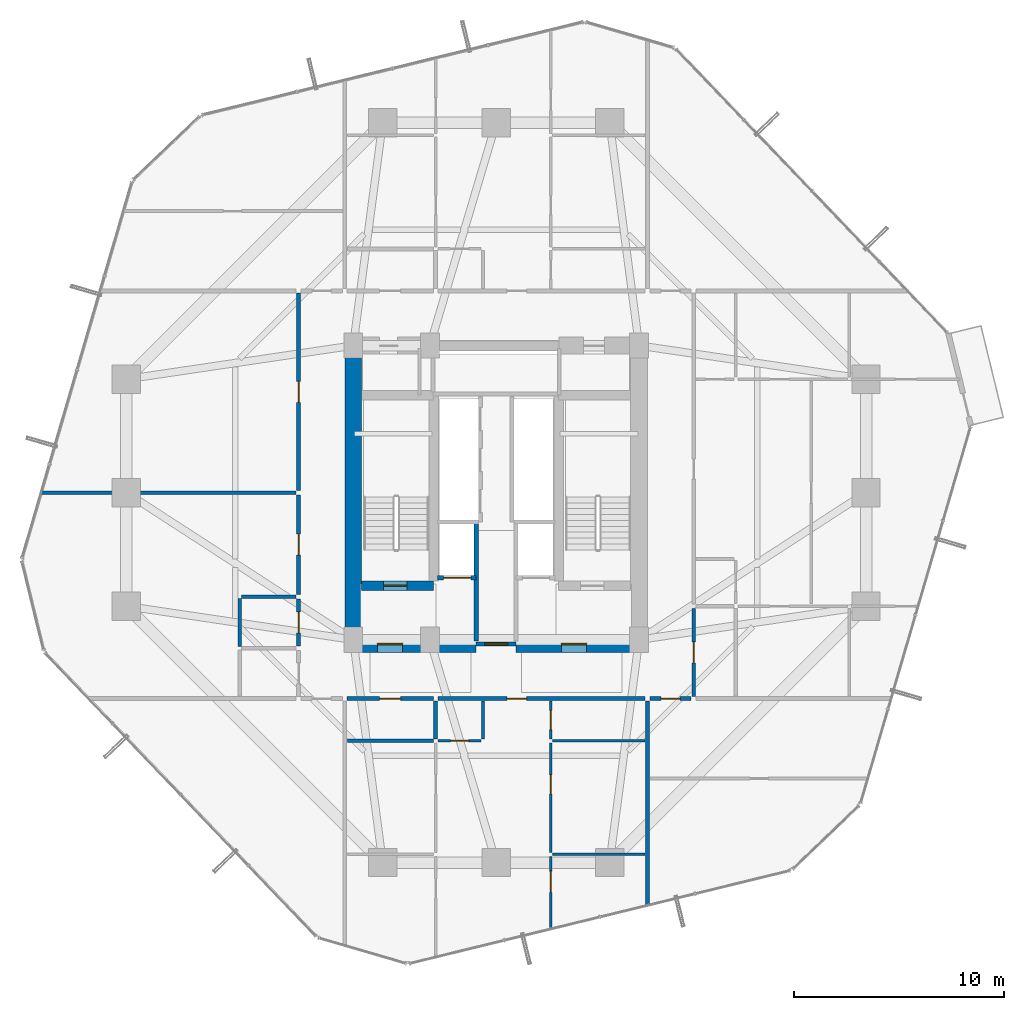
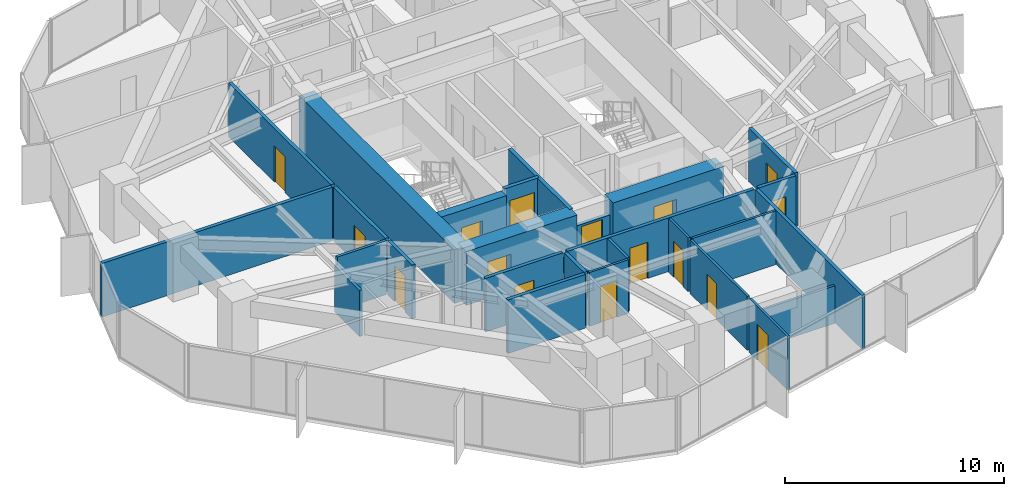
# One storey, part 32 of 37: 27 walls, 16 doors, 16 openings.
"""IFC4 building model written with IfcOpenShell, lengths in metres."""

from ifc_helpers import new_model, si_unit, direction, frame, frame_2d, origin, place, context, subcontext, project, spatial, rectangle, extrude, source, transform, mapped, material, layer, layer_set, type_object, element, fill, save


model = new_model("IFC4")

# Units and contexts
model_context = context("Model", 3, precision=1e-05, world=origin(), true_north=direction((0.0, 1.0)))
body_context = subcontext(model_context, "Body", "Model", "MODEL_VIEW")
ifc_project = project(units=[si_unit("LENGTHUNIT", "METRE"), si_unit("AREAUNIT", "SQUARE_METRE"), si_unit("VOLUMEUNIT", "CUBIC_METRE"), si_unit("PLANEANGLEUNIT", "RADIAN"), si_unit("MASSUNIT", "GRAM", prefix="KILO")], contexts=[model_context])

# Site, building, storey
site_placement = place(None, origin())
site = spatial("IfcSite", under=ifc_project, at=site_placement, CompositionType="ELEMENT")
building_placement = place(site_placement, origin())
building = spatial("IfcBuilding", under=site, at=building_placement, Name="Veraguas Prism Commons", CompositionType="ELEMENT")
storey_placement = place(building_placement, frame((0.0, 0.0, 70.60009765625)))
storey = spatial("IfcBuildingStorey", under=building, at=storey_placement, Name="L19", CompositionType="ELEMENT", Elevation=70.60009765625)

# Wall, opening, door
ifc_material_1 = material(Name="Concrete C60/75", Category="concrete")
ifc_layer_1 = layer(ifc_material_1, 0.449951171875, Name="Core Internal Shear Wall Lower RC 450", Category="concrete")
ifc_layer_set_1 = layer_set([ifc_layer_1], Name="Concrete C60/75")
wall_type_1 = type_object("IfcWallType", Name="Core Internal Shear Wall Lower RC 450", PredefinedType="SHEAR", material=ifc_layer_set_1)
wall_1_placement = place(storey_placement, frame((17.60009765625, 19.574951171875, 0.0), z_axis=(0.0, 0.0, 1.0), x_axis=(1.0, 0.0, 0.0)))
wall_1 = element("IfcWall", 1, at=wall_1_placement, inside=storey, type_object=wall_type_1, Name="Stair ST-01 South Shear Wall L19", PredefinedType="SHEAR", context=body_context, shape_type="SweptSolid", body=[
    extrude(rectangle(XDim=3.4248046875, YDim=0.449951171875, at=frame_2d((1.71240234375, 0.0))), origin(), (0.0, 0.0, 1.0), 3.0),
])
opening_1_placement = place(wall_1_placement, frame((1.050048828125, 0.0, 0.0)))
opening_1 = element("IfcOpeningElement", 2, at=opening_1_placement, cuts=wall_1, Name="Opening DR-05", PredefinedType="OPENING", context=body_context, shape_type="SweptSolid", body=[
    extrude(rectangle(XDim=1.10009765625, YDim=2.030029296875, at=frame_2d((0.550048828125, 1.01513671875))), frame((0.0, 0.23486328125, 0.0), z_axis=(0.0, -1.0, 0.0), x_axis=(1.0, 0.0, 0.0)), (0.0, 0.0, 1.0), 0.469970703125),
])
ifc_material_2 = material(Name="Steel fire-rated door assembly", Category="steel")
door_type_1 = type_object("IfcDoorType", Name="Protected Stair and Refuge Fire Door 1100x2030", OperationType="NOTDEFINED", PredefinedType="DOOR", material=ifc_material_2)
shared_shape_1 = source(origin(), body_context, "Body", "SweptSolid", [
    extrude(rectangle(XDim=1.10009765625, YDim=2.030029296875, at=frame_2d((0.550048828125, 1.01513671875))), frame((0.0, 0.02490234375, 0.0), z_axis=(0.0, -1.0, 0.0), x_axis=(1.0, 0.0, 0.0)), (0.0, 0.0, 1.0), 0.050048828125),
])
door_1_placement = place(opening_1_placement, origin())
door_1 = element("IfcDoor", 3, at=door_1_placement, inside=storey, type_object=door_type_1, Name="Stair ST-01 Enclosure Door L19", OperationType="SINGLE_SWING_RIGHT", OverallHeight=2.030029296875, OverallWidth=1.10009765625, PredefinedType="DOOR", context=body_context, shape_type="MappedRepresentation", body=[
    mapped(shared_shape_1, transform((0.0, 0.0, 0.0), scale=1.0)),
])
fill(opening_1, door_1)

# Wall
ifc_layer_2 = layer(ifc_material_1, 0.800048828125, Name="Core Outer Shear Wall Lower RC 800", Category="concrete")
ifc_layer_set_2 = layer_set([ifc_layer_2], Name="Concrete C60/75")
wall_type_2 = type_object("IfcWallType", Name="Core Outer Shear Wall Lower RC 800", PredefinedType="SHEAR", material=ifc_layer_set_2)
wall_2_placement = place(storey_placement, frame((17.199951171875, 16.800048828125, 0.0), z_axis=(0.0, 0.0, 1.0), x_axis=(0.0, 1.0, 0.0)))
element("IfcWall", 4, at=wall_2_placement, inside=storey, type_object=wall_type_2, Name="Central Core West Shear Wall L19", PredefinedType="SHEAR", context=body_context, shape_type="SweptSolid", body=[
    extrude(rectangle(XDim=14.199951171875, YDim=0.800048828125, at=frame_2d((7.10009765625, 0.0))), origin(), (0.0, 0.0, 1.0), 3.0),
])

# Wall, opening, door
wall_3_placement = place(storey_placement, frame((17.199951171875, 16.800048828125, 0.0), z_axis=(0.0, 0.0, 1.0), x_axis=(1.0, 0.0, 0.0)))
wall_3 = element("IfcWall", 5, at=wall_3_placement, inside=storey, type_object=wall_type_2, Name="Central Core South-West Shear Wall L19", PredefinedType="SHEAR", context=body_context, shape_type="SweptSolid", body=[
    extrude(rectangle(XDim=5.85009765625, YDim=0.800048828125, at=frame_2d((2.925048828125, 0.0))), origin(), (0.0, 0.0, 1.0), 3.0),
])
opening_2_placement = place(wall_3_placement, frame((1.14990234375, 0.0, 0.0)))
opening_2 = element("IfcOpeningElement", 6, at=opening_2_placement, cuts=wall_3, Name="Opening DR-06", PredefinedType="OPENING", context=body_context, shape_type="SweptSolid", body=[
    extrude(rectangle(XDim=1.199951171875, YDim=2.030029296875, at=frame_2d((0.60009765625, 1.01513671875))), frame((0.0, 0.409912109375, 0.0), z_axis=(0.0, -1.0, 0.0), x_axis=(1.0, 0.0, 0.0)), (0.0, 0.0, 1.0), 0.820068359375),
])
door_type_2 = type_object("IfcDoorType", Name="Firefighting Lobby Smoke Door 1200x2030", OperationType="NOTDEFINED", PredefinedType="DOOR", material=ifc_material_2)
shared_shape_2 = source(origin(), body_context, "Body", "SweptSolid", [
    extrude(rectangle(XDim=1.199951171875, YDim=2.030029296875, at=frame_2d((0.60009765625, 1.01513671875))), frame((0.0, 0.02490234375, 0.0), z_axis=(0.0, -1.0, 0.0), x_axis=(1.0, 0.0, 0.0)), (0.0, 0.0, 1.0), 0.050048828125),
])
door_2_placement = place(opening_2_placement, origin())
door_2 = element("IfcDoor", 7, at=door_2_placement, inside=storey, type_object=door_type_2, Name="West FF Lobby Door L19", OperationType="SINGLE_SWING_LEFT", OverallHeight=2.030029296875, OverallWidth=1.199951171875, PredefinedType="DOOR", context=body_context, shape_type="MappedRepresentation", body=[
    mapped(shared_shape_2, transform((0.0, 0.0, 0.0), scale=1.0)),
])
fill(opening_2, door_2)

wall_4_placement = place(storey_placement, frame((24.949951171875, 16.800048828125, 0.0), z_axis=(0.0, 0.0, 1.0), x_axis=(1.0, 0.0, 0.0)))
wall_4 = element("IfcWall", 8, at=wall_4_placement, inside=storey, type_object=wall_type_2, Name="Central Core South-East Shear Wall L19", PredefinedType="SHEAR", context=body_context, shape_type="SweptSolid", body=[
    extrude(rectangle(XDim=5.85009765625, YDim=0.800048828125, at=frame_2d((2.925048828125, 0.0))), origin(), (0.0, 0.0, 1.0), 3.0),
])
opening_3_placement = place(wall_4_placement, frame((2.14990234375, 0.0, 0.0)))
opening_3 = element("IfcOpeningElement", 9, at=opening_3_placement, cuts=wall_4, Name="Opening DR-06", PredefinedType="OPENING", context=body_context, shape_type="SweptSolid", body=[
    extrude(rectangle(XDim=1.199951171875, YDim=2.030029296875, at=frame_2d((0.60009765625, 1.01513671875))), frame((0.0, 0.409912109375, 0.0), z_axis=(0.0, -1.0, 0.0), x_axis=(1.0, 0.0, 0.0)), (0.0, 0.0, 1.0), 0.820068359375),
])
door_3_placement = place(opening_3_placement, origin())
door_3 = element("IfcDoor", 10, at=door_3_placement, inside=storey, type_object=door_type_2, Name="East FF Lobby Door L19", OperationType="SINGLE_SWING_LEFT", OverallHeight=2.030029296875, OverallWidth=1.199951171875, PredefinedType="DOOR", context=body_context, shape_type="MappedRepresentation", body=[
    mapped(shared_shape_2, transform((0.0, 0.0, 0.0), scale=1.0)),
])
fill(opening_3, door_3)

# Wall
ifc_material_3 = material(Name="Autoclaved aerated masonry block 10 MPa", Category="masonry")
ifc_layer_3 = layer(ifc_material_3, 0.179931640625, Name="Corridor and Inter-Tenancy Partition 180", Category="masonry")
ifc_layer_set_3 = layer_set([ifc_layer_3], Name="Autoclaved aerated masonry block 10 MPa")
wall_type_3 = type_object("IfcWallType", Name="Corridor and Inter-Tenancy Partition 180", PredefinedType="PARTITIONING", material=ifc_layer_set_3)
wall_5_placement = place(storey_placement, frame((31.199951171875, 14.080078125, 0.0), z_axis=(0.0, 0.0, 1.0), x_axis=(0.0, -1.0, 0.0)))
element("IfcWall", 11, at=wall_5_placement, inside=storey, type_object=wall_type_3, Name="WL-L19-PT002", PredefinedType="PARTITIONING", context=body_context, shape_type="SweptSolid", body=[
    extrude(rectangle(XDim=9.748291015625, YDim=0.179931640625, at=frame_2d((4.8740234375, 0.0))), origin(), (0.0, 0.0, 1.0), 3.0),
])

# Wall, opening, door
wall_6_placement = place(storey_placement, frame((16.909912109375, 14.199951171875, 0.0), z_axis=(0.0, 0.0, 1.0), x_axis=(1.0, 0.0, 0.0)))
wall_6 = element("IfcWall", 12, at=wall_6_placement, inside=storey, type_object=wall_type_3, Name="WL-L19-PT003", PredefinedType="PARTITIONING", context=body_context, shape_type="SweptSolid", body=[
    extrude(rectangle(XDim=4.10009765625, YDim=0.179931640625, at=frame_2d((2.050048828125, 0.0))), origin(), (0.0, 0.0, 1.0), 3.0),
])
opening_4_placement = place(wall_6_placement, frame((1.550048828125, 0.0, 0.0)))
opening_4 = element("IfcOpeningElement", 13, at=opening_4_placement, cuts=wall_6, Name="Opening DR-13", PredefinedType="OPENING", context=body_context, shape_type="SweptSolid", body=[
    extrude(rectangle(XDim=1.0, YDim=2.010009765625, at=frame_2d((0.5, 1.0048828125))), frame((0.0, 0.099853515625, 0.0), z_axis=(0.0, -1.0, 0.0), x_axis=(1.0, 0.0, 0.0)), (0.0, 0.0, 1.0), 0.199951171875),
])
door_type_3 = type_object("IfcDoorType", Name="Core Accessible WC and Clinic Fire Door 1000x2010", OperationType="NOTDEFINED", PredefinedType="DOOR", material=ifc_material_2)
shared_shape_3 = source(origin(), body_context, "Body", "SweptSolid", [
    extrude(rectangle(XDim=1.0, YDim=2.010009765625, at=frame_2d((0.5, 1.0048828125))), frame((0.0, 0.02490234375, 0.0), z_axis=(0.0, -1.0, 0.0), x_axis=(1.0, 0.0, 0.0)), (0.0, 0.0, 1.0), 0.050048828125),
])
door_4_placement = place(opening_4_placement, origin())
door_4 = element("IfcDoor", 14, at=door_4_placement, inside=storey, type_object=door_type_3, Name="Residents Study Alcove 19A Door", OperationType="SINGLE_SWING_RIGHT", OverallHeight=2.010009765625, OverallWidth=1.0, PredefinedType="DOOR", context=body_context, shape_type="MappedRepresentation", body=[
    mapped(shared_shape_3, transform((0.0, 0.0, 0.0), scale=1.0)),
])
fill(opening_4, door_4)

wall_7_placement = place(storey_placement, frame((21.22998046875, 14.199951171875, 0.0), z_axis=(0.0, 0.0, 1.0), x_axis=(1.0, 0.0, 0.0)))
wall_7 = element("IfcWall", 15, at=wall_7_placement, inside=storey, type_object=wall_type_3, Name="WL-L19-PT004", PredefinedType="PARTITIONING", context=body_context, shape_type="SweptSolid", body=[
    extrude(rectangle(XDim=9.860107421875, YDim=0.179931640625, at=frame_2d((4.93017578125, 0.0))), origin(), (0.0, 0.0, 1.0), 3.0),
])
opening_5_placement = place(wall_7_placement, frame((3.27587890625, 0.0, 0.0)))
opening_5 = element("IfcOpeningElement", 16, at=opening_5_placement, cuts=wall_7, Name="Opening DR-01", PredefinedType="OPENING", context=body_context, shape_type="SweptSolid", body=[
    extrude(rectangle(XDim=0.949951171875, YDim=2.02001953125, at=frame_2d((0.47509765625, 1.010009765625))), frame((0.0, 0.099853515625, 0.0), z_axis=(0.0, -1.0, 0.0), x_axis=(1.0, 0.0, 0.0)), (0.0, 0.0, 1.0), 0.199951171875),
])
ifc_material_4 = material(Name="Anodised aluminium EN AW-6063 T6", Category="aluminium")
door_type_4 = type_object("IfcDoorType", Name="Apartment Entrance Fire Door 950x2020", OperationType="NOTDEFINED", PredefinedType="DOOR", material=ifc_material_4)
shared_shape_4 = source(origin(), body_context, "Body", "SweptSolid", [
    extrude(rectangle(XDim=0.949951171875, YDim=2.02001953125, at=frame_2d((0.47509765625, 1.010009765625))), frame((0.0, 0.02490234375, 0.0), z_axis=(0.0, -1.0, 0.0), x_axis=(1.0, 0.0, 0.0)), (0.0, 0.0, 1.0), 0.050048828125),
])
door_5_placement = place(opening_5_placement, origin())
door_5 = element("IfcDoor", 17, at=door_5_placement, inside=storey, type_object=door_type_4, Name="Flat 19A Entrance Door", OperationType="SINGLE_SWING_LEFT", OverallHeight=2.02001953125, OverallWidth=0.949951171875, PredefinedType="DOOR", context=body_context, shape_type="MappedRepresentation", body=[
    mapped(shared_shape_4, transform((0.0, 0.0, 0.0), scale=1.0)),
])
fill(opening_5, door_5)

# Walls
wall_8_placement = place(storey_placement, frame((16.919921875, 12.199951171875, 0.0), z_axis=(0.0, 0.0, 1.0), x_axis=(1.0, 0.0, 0.0)))
element("IfcWall", 18, at=wall_8_placement, inside=storey, type_object=wall_type_3, Name="WL-L19-PT009", PredefinedType="PARTITIONING", context=body_context, shape_type="SweptSolid", body=[
    extrude(rectangle(XDim=4.10009765625, YDim=0.179931640625, at=frame_2d((2.050048828125, 0.0))), origin(), (0.0, 0.0, 1.0), 3.0),
])
wall_9_placement = place(storey_placement, frame((21.1201171875, 14.080078125, 0.0), z_axis=(0.0, 0.0, 1.0), x_axis=(0.0, -1.0, 0.0)))
element("IfcWall", 19, at=wall_9_placement, inside=storey, type_object=wall_type_3, Name="WL-L19-PT010", PredefinedType="PARTITIONING", context=body_context, shape_type="SweptSolid", body=[
    extrude(rectangle(XDim=1.800048828125, YDim=0.179931640625, at=frame_2d((0.89990234375, 0.0))), origin(), (0.0, 0.0, 1.0), 3.0),
])

# Wall, opening, door
wall_10_placement = place(storey_placement, frame((14.60009765625, 16.7099609375, 0.0), z_axis=(0.0, 0.0, 1.0), x_axis=(0.0, 1.0, 0.0)))
wall_10 = element("IfcWall", 20, at=wall_10_placement, inside=storey, type_object=wall_type_3, Name="WL-L19-PT036", PredefinedType="PARTITIONING", context=body_context, shape_type="SweptSolid", body=[
    extrude(rectangle(XDim=2.22998046875, YDim=0.179931640625, at=frame_2d((1.114990234375, 0.0))), origin(), (0.0, 0.0, 1.0), 3.0),
])
opening_6_placement = place(wall_10_placement, frame((0.614990234375, 0.0, 0.0)))
opening_6 = element("IfcOpeningElement", 21, at=opening_6_placement, cuts=wall_10, Name="Opening DR-13", PredefinedType="OPENING", context=body_context, shape_type="SweptSolid", body=[
    extrude(rectangle(XDim=1.0, YDim=2.010009765625, at=frame_2d((0.5, 1.0048828125))), frame((0.0, 0.099853515625, 0.0), z_axis=(0.0, -1.0, 0.0), x_axis=(1.0, 0.0, 0.0)), (0.0, 0.0, 1.0), 0.199951171875),
])
door_6_placement = place(opening_6_placement, origin())
door_6 = element("IfcDoor", 22, at=door_6_placement, inside=storey, type_object=door_type_3, Name="Accessible WC L19 Door", OperationType="SINGLE_SWING_LEFT", OverallHeight=2.010009765625, OverallWidth=1.0, PredefinedType="DOOR", context=body_context, shape_type="MappedRepresentation", body=[
    mapped(shared_shape_3, transform((0.0, 0.0, 0.0), scale=1.0)),
])
fill(opening_6, door_6)

wall_11_placement = place(storey_placement, frame((14.60009765625, 19.159912109375, 0.0), z_axis=(0.0, 0.0, 1.0), x_axis=(0.0, 1.0, 0.0)))
wall_11 = element("IfcWall", 23, at=wall_11_placement, inside=storey, type_object=wall_type_3, Name="WL-L19-PT037", PredefinedType="PARTITIONING", context=body_context, shape_type="SweptSolid", body=[
    extrude(rectangle(XDim=4.72998046875, YDim=0.179931640625, at=frame_2d((2.364990234375, 0.0))), origin(), (0.0, 0.0, 1.0), 3.0),
])
opening_7_placement = place(wall_11_placement, frame((1.864990234375, 0.0, 0.0)))
opening_7 = element("IfcOpeningElement", 24, at=opening_7_placement, cuts=wall_11, Name="Opening DR-13", PredefinedType="OPENING", context=body_context, shape_type="SweptSolid", body=[
    extrude(rectangle(XDim=1.0, YDim=2.010009765625, at=frame_2d((0.5, 1.0048828125))), frame((0.0, 0.099853515625, 0.0), z_axis=(0.0, -1.0, 0.0), x_axis=(1.0, 0.0, 0.0)), (0.0, 0.0, 1.0), 0.199951171875),
])
door_7_placement = place(opening_7_placement, origin())
door_7 = element("IfcDoor", 25, at=door_7_placement, inside=storey, type_object=door_type_3, Name="Quiet Study L19 Door", OperationType="SINGLE_SWING_RIGHT", OverallHeight=2.010009765625, OverallWidth=1.0, PredefinedType="DOOR", context=body_context, shape_type="MappedRepresentation", body=[
    mapped(shared_shape_3, transform((0.0, 0.0, 0.0), scale=1.0)),
])
fill(opening_7, door_7)

wall_12_placement = place(storey_placement, frame((14.60009765625, 24.110107421875, 0.0), z_axis=(0.0, 0.0, 1.0), x_axis=(0.0, 1.0, 0.0)))
wall_12 = element("IfcWall", 26, at=wall_12_placement, inside=storey, type_object=wall_type_3, Name="WL-L19-PT038", PredefinedType="PARTITIONING", context=body_context, shape_type="SweptSolid", body=[
    extrude(rectangle(XDim=9.3798828125, YDim=0.179931640625, at=frame_2d((4.68994140625, 0.0))), origin(), (0.0, 0.0, 1.0), 3.0),
])
opening_8_placement = place(wall_12_placement, frame((4.18994140625, 0.0, 0.0)))
opening_8 = element("IfcOpeningElement", 27, at=opening_8_placement, cuts=wall_12, Name="Opening DR-13", PredefinedType="OPENING", context=body_context, shape_type="SweptSolid", body=[
    extrude(rectangle(XDim=1.0, YDim=2.010009765625, at=frame_2d((0.5, 1.0048828125))), frame((0.0, 0.099853515625, 0.0), z_axis=(0.0, -1.0, 0.0), x_axis=(1.0, 0.0, 0.0)), (0.0, 0.0, 1.0), 0.199951171875),
])
door_8_placement = place(opening_8_placement, origin())
door_8 = element("IfcDoor", 28, at=door_8_placement, inside=storey, type_object=door_type_3, Name="Reading Lounge L19 Door", OperationType="SINGLE_SWING_LEFT", OverallHeight=2.010009765625, OverallWidth=1.0, PredefinedType="DOOR", context=body_context, shape_type="MappedRepresentation", body=[
    mapped(shared_shape_3, transform((0.0, 0.0, 0.0), scale=1.0)),
])
fill(opening_8, door_8)

# Wall
wall_13_placement = place(storey_placement, frame((14.47998046875, 24.0, 0.0), z_axis=(0.0, 0.0, 1.0), x_axis=(-1.0, 0.0, 0.0)))
element("IfcWall", 29, at=wall_13_placement, inside=storey, type_object=wall_type_3, Name="WL-L19-PT043", PredefinedType="PARTITIONING", context=body_context, shape_type="SweptSolid", body=[
    extrude(rectangle(XDim=12.1640625, YDim=0.179931640625, at=frame_2d((6.08203125, 0.0))), origin(), (0.0, 0.0, 1.0), 3.0),
])

# Wall, opening, door
wall_14_placement = place(storey_placement, frame((33.39990234375, 14.31005859375, 0.0), z_axis=(0.0, 0.0, 1.0), x_axis=(0.0, 1.0, 0.0)))
wall_14 = element("IfcWall", 30, at=wall_14_placement, inside=storey, type_object=wall_type_3, Name="WL-L19-PT046", PredefinedType="PARTITIONING", context=body_context, shape_type="SweptSolid", body=[
    extrude(rectangle(XDim=4.179931640625, YDim=0.179931640625, at=frame_2d((2.08984375, 0.0))), origin(), (0.0, 0.0, 1.0), 3.0),
])
opening_9_placement = place(wall_14_placement, frame((1.590087890625, 0.0, 0.0)))
opening_9 = element("IfcOpeningElement", 31, at=opening_9_placement, cuts=wall_14, Name="Opening DR-13", PredefinedType="OPENING", context=body_context, shape_type="SweptSolid", body=[
    extrude(rectangle(XDim=1.0, YDim=2.010009765625, at=frame_2d((0.5, 1.0048828125))), frame((0.0, 0.099853515625, 0.0), z_axis=(0.0, -1.0, 0.0), x_axis=(1.0, 0.0, 0.0)), (0.0, 0.0, 1.0), 0.199951171875),
])
door_9_placement = place(opening_9_placement, origin())
door_9 = element("IfcDoor", 32, at=door_9_placement, inside=storey, type_object=door_type_3, Name="Residents Study Alcove 19C Door", OperationType="SINGLE_SWING_RIGHT", OverallHeight=2.010009765625, OverallWidth=1.0, PredefinedType="DOOR", context=body_context, shape_type="MappedRepresentation", body=[
    mapped(shared_shape_3, transform((0.0, 0.0, 0.0), scale=1.0)),
])
fill(opening_9, door_9)

wall_15_placement = place(storey_placement, frame((31.320068359375, 14.199951171875, 0.0), z_axis=(0.0, 0.0, 1.0), x_axis=(1.0, 0.0, 0.0)))
wall_15 = element("IfcWall", 33, at=wall_15_placement, inside=storey, type_object=wall_type_3, Name="WL-L19-PT062", PredefinedType="PARTITIONING", context=body_context, shape_type="SweptSolid", body=[
    extrude(rectangle(XDim=1.9599609375, YDim=0.179931640625, at=frame_2d((0.97998046875, 0.0))), origin(), (0.0, 0.0, 1.0), 3.0),
])
opening_10_placement = place(wall_15_placement, frame((0.530029296875, 0.0, 0.0)))
opening_10 = element("IfcOpeningElement", 34, at=opening_10_placement, cuts=wall_15, Name="Opening DR-14", PredefinedType="OPENING", context=body_context, shape_type="SweptSolid", body=[
    extrude(rectangle(XDim=0.89990234375, YDim=2.010009765625, at=frame_2d((0.449951171875, 1.0048828125))), frame((0.0, 0.099853515625, 0.0), z_axis=(0.0, -1.0, 0.0), x_axis=(1.0, 0.0, 0.0)), (0.0, 0.0, 1.0), 0.199951171875),
])
door_type_5 = type_object("IfcDoorType", Name="Core Service Room Fire Door 900x2010", OperationType="NOTDEFINED", PredefinedType="DOOR", material=ifc_material_2)
shared_shape_5 = source(origin(), body_context, "Body", "SweptSolid", [
    extrude(rectangle(XDim=0.89990234375, YDim=2.010009765625, at=frame_2d((0.449951171875, 1.0048828125))), frame((0.0, 0.02490234375, 0.0), z_axis=(0.0, -1.0, 0.0), x_axis=(1.0, 0.0, 0.0)), (0.0, 0.0, 1.0), 0.050048828125),
])
door_10_placement = place(opening_10_placement, origin())
door_10 = element("IfcDoor", 35, at=door_10_placement, inside=storey, type_object=door_type_5, Name="Shared Laundry Room Door", OperationType="SINGLE_SWING_RIGHT", OverallHeight=2.010009765625, OverallWidth=0.89990234375, PredefinedType="DOOR", context=body_context, shape_type="MappedRepresentation", body=[
    mapped(shared_shape_5, transform((0.0, 0.0, 0.0), scale=1.0)),
])
fill(opening_10, door_10)

# Wall
ifc_material_5 = material(Name="Lightweight acoustic gypsum board")
ifc_layer_4 = layer(ifc_material_5, 0.125, Name="Internal Apartment Room Partition 125")
ifc_layer_set_4 = layer_set([ifc_layer_4], Name="Lightweight acoustic gypsum board")
wall_type_4 = type_object("IfcWallType", Name="Internal Apartment Room Partition 125", PredefinedType="PARTITIONING", material=ifc_layer_set_4)
wall_16_placement = place(storey_placement, frame((26.69189453125, 6.800048828125, 0.0), z_axis=(0.0, 0.0, 1.0), x_axis=(1.0, 0.0, 0.0)))
element("IfcWall", 36, at=wall_16_placement, inside=storey, type_object=wall_type_4, Name="WL-L19-PT007", PredefinedType="PARTITIONING", context=body_context, shape_type="SweptSolid", body=[
    extrude(rectangle(XDim=4.38818359375, YDim=0.125, at=frame_2d((2.194091796875, 0.0))), origin(), (0.0, 0.0, 1.0), 2.099853515625),
])

# Wall, opening, door
wall_17_placement = place(storey_placement, frame((26.592041015625, 6.699951171875, 0.0), z_axis=(0.0, 0.0, 1.0), x_axis=(0.0, -1.0, 0.0)))
wall_17 = element("IfcWall", 37, at=wall_17_placement, inside=storey, type_object=wall_type_4, Name="WL-L19-PT008", PredefinedType="PARTITIONING", context=body_context, shape_type="SweptSolid", body=[
    extrude(rectangle(XDim=3.4931640625, YDim=0.125, at=frame_2d((1.74658203125, 0.0))), origin(), (0.0, 0.0, 1.0), 3.0),
])
opening_11_placement = place(wall_17_placement, frame((0.723388671875, 0.0, 0.0)))
opening_11 = element("IfcOpeningElement", 38, at=opening_11_placement, cuts=wall_17, Name="Opening DR-04", PredefinedType="OPENING", context=body_context, shape_type="SweptSolid", body=[
    extrude(rectangle(XDim=1.0, YDim=2.010009765625, at=frame_2d((0.5, 1.0048828125))), frame((0.0, 0.072509765625, 0.0), z_axis=(0.0, -1.0, 0.0), x_axis=(1.0, 0.0, 0.0)), (0.0, 0.0, 1.0), 0.14501953125),
])
door_type_6 = type_object("IfcDoorType", Name="Accessible WC and Clinic Exam Door 1000x2010", OperationType="NOTDEFINED", PredefinedType="DOOR", material=ifc_material_4)
door_11_placement = place(opening_11_placement, origin())
door_11 = element("IfcDoor", 39, at=door_11_placement, inside=storey, type_object=door_type_6, Name="Flat 19A Study Door", OperationType="SINGLE_SWING_LEFT", OverallHeight=2.010009765625, OverallWidth=1.0, PredefinedType="DOOR", context=body_context, shape_type="MappedRepresentation", body=[
    mapped(shared_shape_3, transform((0.0, 0.0, 0.0), scale=1.0)),
])
fill(opening_11, door_11)

wall_18_placement = place(storey_placement, frame((21.239990234375, 12.199951171875, 0.0), z_axis=(0.0, 0.0, 1.0), x_axis=(1.0, 0.0, 0.0)))
wall_18 = element("IfcWall", 40, at=wall_18_placement, inside=storey, type_object=wall_type_4, Name="WL-L19-PT013", PredefinedType="PARTITIONING", context=body_context, shape_type="SweptSolid", body=[
    extrude(rectangle(XDim=2.050048828125, YDim=0.125, at=frame_2d((1.02490234375, 0.0))), origin(), (0.0, 0.0, 1.0), 3.0),
])
opening_12_placement = place(wall_18_placement, frame((0.594970703125, 0.0, 0.0)))
opening_12 = element("IfcOpeningElement", 41, at=opening_12_placement, cuts=wall_18, Name="Opening DR-03", PredefinedType="OPENING", context=body_context, shape_type="SweptSolid", body=[
    extrude(rectangle(XDim=0.860107421875, YDim=2.010009765625, at=frame_2d((0.43017578125, 1.0048828125))), frame((0.0, 0.072509765625, 0.0), z_axis=(0.0, -1.0, 0.0), x_axis=(1.0, 0.0, 0.0)), (0.0, 0.0, 1.0), 0.14501953125),
])
ifc_material_6 = material(Name="Timber moisture-resistant leaf", Category="wood")
door_type_7 = type_object("IfcDoorType", Name="Internal Bathroom Door 860x2010", OperationType="NOTDEFINED", PredefinedType="DOOR", material=ifc_material_6)
shared_shape_6 = source(origin(), body_context, "Body", "SweptSolid", [
    extrude(rectangle(XDim=0.860107421875, YDim=2.010009765625, at=frame_2d((0.43017578125, 1.0048828125))), frame((0.0, 0.02490234375, 0.0), z_axis=(0.0, -1.0, 0.0), x_axis=(1.0, 0.0, 0.0)), (0.0, 0.0, 1.0), 0.050048828125),
])
door_12_placement = place(opening_12_placement, origin())
door_12 = element("IfcDoor", 42, at=door_12_placement, inside=storey, type_object=door_type_7, Name="Flat 19A Bathroom Door", OperationType="SINGLE_SWING_LEFT", OverallHeight=2.010009765625, OverallWidth=0.860107421875, PredefinedType="DOOR", context=body_context, shape_type="MappedRepresentation", body=[
    mapped(shared_shape_6, transform((0.0, 0.0, 0.0), scale=1.0)),
])
fill(opening_12, door_12)

wall_19_placement = place(storey_placement, frame((26.592041015625, 14.080078125, 0.0), z_axis=(0.0, 0.0, 1.0), x_axis=(0.0, -1.0, 0.0)))
wall_19 = element("IfcWall", 43, at=wall_19_placement, inside=storey, type_object=wall_type_4, Name="WL-L19-PT014", PredefinedType="PARTITIONING", context=body_context, shape_type="SweptSolid", body=[
    extrude(rectangle(XDim=1.800048828125, YDim=0.125, at=frame_2d((0.89990234375, 0.0))), origin(), (0.0, 0.0, 1.0), 3.0),
])
opening_13_placement = place(wall_19_placement, frame((0.449951171875, 0.0, 0.0)))
opening_13 = element("IfcOpeningElement", 44, at=opening_13_placement, cuts=wall_19, Name="Opening DR-02", PredefinedType="OPENING", context=body_context, shape_type="SweptSolid", body=[
    extrude(rectangle(XDim=0.89990234375, YDim=2.010009765625, at=frame_2d((0.449951171875, 1.0048828125))), frame((0.0, 0.072509765625, 0.0), z_axis=(0.0, -1.0, 0.0), x_axis=(1.0, 0.0, 0.0)), (0.0, 0.0, 1.0), 0.14501953125),
])
ifc_material_7 = material(Name="Timber solid core hardwood", Category="wood")
door_type_8 = type_object("IfcDoorType", Name="Internal Habitable Room Door 900x2010", OperationType="NOTDEFINED", PredefinedType="DOOR", material=ifc_material_7)
door_13_placement = place(opening_13_placement, origin())
door_13 = element("IfcDoor", 45, at=door_13_placement, inside=storey, type_object=door_type_8, Name="Flat 19A Kitchen Door", OperationType="SINGLE_SWING_RIGHT", OverallHeight=2.010009765625, OverallWidth=0.89990234375, PredefinedType="DOOR", context=body_context, shape_type="MappedRepresentation", body=[
    mapped(shared_shape_5, transform((0.0, 0.0, 0.0), scale=1.0)),
])
fill(opening_13, door_13)

# Wall
wall_20_placement = place(storey_placement, frame((26.69189453125, 12.199951171875, 0.0), z_axis=(0.0, 0.0, 1.0), x_axis=(1.0, 0.0, 0.0)))
element("IfcWall", 46, at=wall_20_placement, inside=storey, type_object=wall_type_4, Name="WL-L19-PT015", PredefinedType="PARTITIONING", context=body_context, shape_type="SweptSolid", body=[
    extrude(rectangle(XDim=4.38818359375, YDim=0.125, at=frame_2d((2.194091796875, 0.0))), origin(), (0.0, 0.0, 1.0), 3.0),
])

# Wall, opening, door
wall_21_placement = place(storey_placement, frame((26.592041015625, 12.10009765625, 0.0), z_axis=(0.0, 0.0, 1.0), x_axis=(0.0, -1.0, 0.0)))
wall_21 = element("IfcWall", 47, at=wall_21_placement, inside=storey, type_object=wall_type_4, Name="WL-L19-PT016", PredefinedType="PARTITIONING", context=body_context, shape_type="SweptSolid", body=[
    extrude(rectangle(XDim=5.22021484375, YDim=0.125, at=frame_2d((2.610107421875, 0.0))), origin(), (0.0, 0.0, 1.0), 3.0),
])
opening_14_placement = place(wall_21_placement, frame((1.53271484375, 0.0, 0.0)))
opening_14 = element("IfcOpeningElement", 48, at=opening_14_placement, cuts=wall_21, Name="Opening DR-02", PredefinedType="OPENING", context=body_context, shape_type="SweptSolid", body=[
    extrude(rectangle(XDim=0.89990234375, YDim=2.010009765625, at=frame_2d((0.449951171875, 1.0048828125))), frame((0.0, 0.072509765625, 0.0), z_axis=(0.0, -1.0, 0.0), x_axis=(1.0, 0.0, 0.0)), (0.0, 0.0, 1.0), 0.14501953125),
])
door_14_placement = place(opening_14_placement, origin())
door_14 = element("IfcDoor", 49, at=door_14_placement, inside=storey, type_object=door_type_8, Name="Flat 19A Bedroom 1 Door", OperationType="SINGLE_SWING_LEFT", OverallHeight=2.010009765625, OverallWidth=0.89990234375, PredefinedType="DOOR", context=body_context, shape_type="MappedRepresentation", body=[
    mapped(shared_shape_5, transform((0.0, 0.0, 0.0), scale=1.0)),
])
fill(opening_14, door_14)

ifc_layer_5 = layer(ifc_material_3, 0.199951171875, Name="Rated Shaft and Lobby Block Wall 200", Category="masonry")
ifc_layer_set_5 = layer_set([ifc_layer_5], Name="Autoclaved aerated masonry block 10 MPa")
wall_type_5 = type_object("IfcWallType", Name="Rated Shaft and Lobby Block Wall 200", PredefinedType="SOLIDWALL", material=ifc_layer_set_5)
wall_22_placement = place(storey_placement, frame((23.050048828125, 16.800048828125, 0.0), z_axis=(0.0, 0.0, 1.0), x_axis=(1.0, 0.0, 0.0)))
wall_22 = element("IfcWall", 50, at=wall_22_placement, inside=storey, type_object=wall_type_5, Name="Central Core Lobby Entrance Wall L19", PredefinedType="SOLIDWALL", context=body_context, shape_type="SweptSolid", body=[
    extrude(rectangle(XDim=1.89990234375, YDim=0.199951171875, at=frame_2d((0.949951171875, 0.0))), origin(), (0.0, 0.0, 1.0), 2.14990234375),
])
opening_15_placement = place(wall_22_placement, frame((0.39990234375, 0.0, 0.0)))
opening_15 = element("IfcOpeningElement", 51, at=opening_15_placement, cuts=wall_22, Name="Opening DR-05", PredefinedType="OPENING", context=body_context, shape_type="SweptSolid", body=[
    extrude(rectangle(XDim=1.10009765625, YDim=2.030029296875, at=frame_2d((0.550048828125, 1.01513671875))), frame((0.0, 0.10986328125, 0.0), z_axis=(0.0, -1.0, 0.0), x_axis=(1.0, 0.0, 0.0)), (0.0, 0.0, 1.0), 0.219970703125),
])
door_15_placement = place(opening_15_placement, origin())
door_15 = element("IfcDoor", 52, at=door_15_placement, inside=storey, type_object=door_type_1, Name="Central Lobby Door L19", OperationType="SINGLE_SWING_RIGHT", OverallHeight=2.030029296875, OverallWidth=1.10009765625, PredefinedType="DOOR", context=body_context, shape_type="MappedRepresentation", body=[
    mapped(shared_shape_1, transform((0.0, 0.0, 0.0), scale=1.0)),
])
fill(opening_15, door_15)

wall_23_placement = place(storey_placement, frame((21.199951171875, 19.949951171875, 0.0), z_axis=(0.0, 0.0, 1.0), x_axis=(1.0, 0.0, 0.0)))
wall_23 = element("IfcWall", 53, at=wall_23_placement, inside=storey, type_object=wall_type_5, Name="Firefighting Lift FFL-1 Front Wall L19", PredefinedType="SOLIDWALL", context=body_context, shape_type="SweptSolid", body=[
    extrude(rectangle(XDim=1.85009765625, YDim=0.199951171875, at=frame_2d((0.925048828125, 0.0))), origin(), (0.0, 0.0, 1.0), 3.0),
])
opening_16_placement = place(wall_23_placement, frame((0.300048828125, 0.0, 0.0)))
opening_16 = element("IfcOpeningElement", 54, at=opening_16_placement, cuts=wall_23, Name="Opening LD-02", PredefinedType="OPENING", context=body_context, shape_type="SweptSolid", body=[
    extrude(rectangle(XDim=1.300048828125, YDim=2.25, at=frame_2d((0.64990234375, 1.125))), frame((0.0, 0.10986328125, 0.0), z_axis=(0.0, -1.0, 0.0), x_axis=(1.0, 0.0, 0.0)), (0.0, 0.0, 1.0), 0.219970703125),
])
ifc_material_8 = material(Name="Stainless steel AISI 316", Category="steel")
door_type_9 = type_object("IfcDoorType", Name="Firefighting Lift Sliding Landing Door 1300x2250", OperationType="NOTDEFINED", PredefinedType="DOOR", material=ifc_material_8)
shared_shape_7 = source(origin(), body_context, "Body", "SweptSolid", [
    extrude(rectangle(XDim=1.300048828125, YDim=2.25, at=frame_2d((0.64990234375, 1.125))), frame((0.0, 0.02490234375, 0.0), z_axis=(0.0, -1.0, 0.0), x_axis=(1.0, 0.0, 0.0)), (0.0, 0.0, 1.0), 0.050048828125),
])
door_16_placement = place(opening_16_placement, origin())
door_16 = element("IfcDoor", 55, at=door_16_placement, inside=storey, type_object=door_type_9, Name="Firefighting Lift FFL-1 Landing Door L19", OperationType="SLIDING_TO_LEFT", OverallHeight=2.25, OverallWidth=1.300048828125, PredefinedType="DOOR", context=body_context, shape_type="MappedRepresentation", body=[
    mapped(shared_shape_7, transform((0.0, 0.0, 0.0), scale=1.0)),
])
fill(opening_16, door_16)

# Walls
wall_24_placement = place(storey_placement, frame((23.050048828125, 16.949951171875, 0.0), z_axis=(0.0, 0.0, 1.0), x_axis=(0.0, 1.0, 0.0)))
element("IfcWall", 56, at=wall_24_placement, inside=storey, type_object=wall_type_5, Name="West FF Lobby Divider Wall L19", PredefinedType="SOLIDWALL", context=body_context, shape_type="SweptSolid", body=[
    extrude(rectangle(XDim=5.60009765625, YDim=0.199951171875, at=frame_2d((2.800048828125, 0.0))), origin(), (0.0, 0.0, 1.0), 3.0),
])
ifc_layer_6 = layer(ifc_material_5, 0.14990234375, Name="Wet Room and Clinic Acoustic Partition 150")
ifc_layer_set_6 = layer_set([ifc_layer_6], Name="Lightweight acoustic gypsum board")
wall_type_6 = type_object("IfcWallType", Name="Wet Room and Clinic Acoustic Partition 150", PredefinedType="PARTITIONING", material=ifc_layer_set_6)
wall_25_placement = place(storey_placement, frame((23.3701171875, 14.080078125, 0.0), z_axis=(0.0, 0.0, 1.0), x_axis=(0.0, -1.0, 0.0)))
element("IfcWall", 57, at=wall_25_placement, inside=storey, type_object=wall_type_6, Name="WL-L19-PT012", PredefinedType="PARTITIONING", context=body_context, shape_type="SweptSolid", body=[
    extrude(rectangle(XDim=1.800048828125, YDim=0.14990234375, at=frame_2d((0.89990234375, 0.0))), origin(), (0.0, 0.0, 1.0), 3.0),
])
wall_26_placement = place(storey_placement, frame((14.47998046875, 19.050048828125, 0.0), z_axis=(0.0, 0.0, 1.0), x_axis=(-1.0, 0.0, 0.0)))
element("IfcWall", 58, at=wall_26_placement, inside=storey, type_object=wall_type_6, Name="WL-L19-PT040", PredefinedType="PARTITIONING", context=body_context, shape_type="SweptSolid", body=[
    extrude(rectangle(XDim=2.60009765625, YDim=0.14990234375, at=frame_2d((1.300048828125, 0.0))), origin(), (0.0, 0.0, 1.0), 3.0),
])
wall_27_placement = place(storey_placement, frame((11.800048828125, 16.679931640625, 0.0), z_axis=(0.0, 0.0, 1.0), x_axis=(0.0, 1.0, 0.0)))
element("IfcWall", 59, at=wall_27_placement, inside=storey, type_object=wall_type_6, Name="WL-L19-PT042", PredefinedType="PARTITIONING", context=body_context, shape_type="SweptSolid", body=[
    extrude(rectangle(XDim=2.2900390625, YDim=0.14990234375, at=frame_2d((1.14501953125, 0.0))), origin(), (0.0, 0.0, 1.0), 2.579833984375),
])

save(model, "model.ifc")
